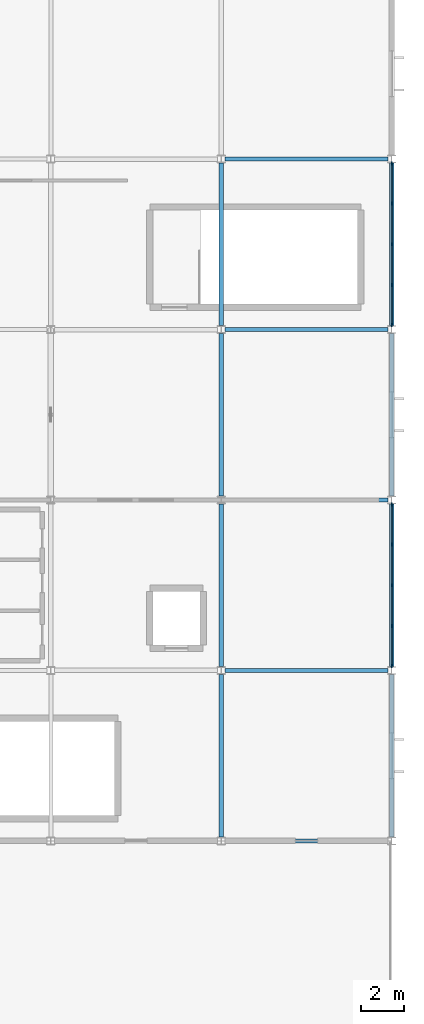
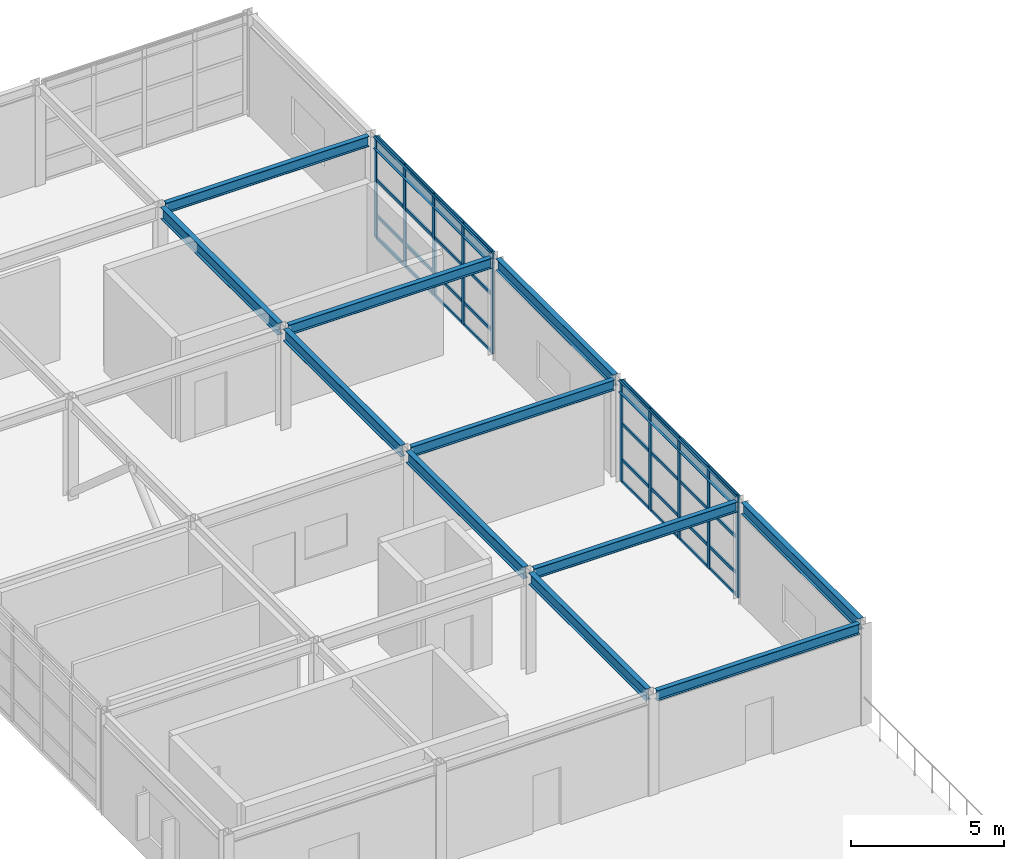
# One storey, part 19 of 34: 42 members, 13 beams, 2 elements without a shape of their own.
"""IFC4 building model written with IfcOpenShell, lengths in metres."""

from ifc_helpers import new_model, si_unit, direction, frame, origin, origin_2d, place, context, subcontext, project, spatial, rectangle, i_section, extrude, material, layer, layer_set, material_profile, profile_set, type_object, element, aggregate, save


model = new_model("IFC4")

# Units and contexts
model_context = context("Model", 3, precision=1e-05, world=origin(), true_north=direction((0.0, 1.0)))
body_context = subcontext(model_context, "Body", "Model", "MODEL_VIEW")
ifc_project = project(units=[si_unit("LENGTHUNIT", "METRE"), si_unit("AREAUNIT", "SQUARE_METRE"), si_unit("VOLUMEUNIT", "CUBIC_METRE"), si_unit("PLANEANGLEUNIT", "RADIAN"), si_unit("MASSUNIT", "GRAM", prefix="KILO")], contexts=[model_context])

# Site, building, storey
site_placement = place(None, origin())
site = spatial("IfcSite", under=ifc_project, at=site_placement, CompositionType="ELEMENT")
building_placement = place(site_placement, origin())
building = spatial("IfcBuilding", under=site, at=building_placement, Name="Varnela Railside Interchange", CompositionType="ELEMENT")
storey_placement = place(building_placement, frame((0.0, 0.0, 19.60009765625)))
storey = spatial("IfcBuildingStorey", under=building, at=storey_placement, Name="L04", CompositionType="ELEMENT", Elevation=19.60009765625)

# Beams
ifc_material_1 = material(Name="Steel AR 350 (350 MPa)", Category="steel")
ifc_material_profile_1 = material_profile(ifc_material_1, i_section(OverallWidth=0.194091796875, OverallDepth=0.468994140625, WebThickness=0.0126953125, FlangeThickness=0.0205078125, at=origin_2d()), Name="W460x106")
ifc_profile_set_1 = profile_set([ifc_material_profile_1], Name="Steel AR 350 (350 MPa)")
beam_type_1 = type_object("IfcBeamType", Name="Composite Primary Beam B-19", PredefinedType="BEAM", material=ifc_profile_set_1)
for number, where, z_axis, x_axis, name in (
    (1, (132.0, 62.179931640625, 3.785400390625), (0.0, 1.0, 0.0), (-1.0, 0.0, 0.0), "Composite Primary Beam B-19 (L04) (BM-2488)"),
    (2, (132.0, 70.179931640625, 3.785400390625), (0.0, 1.0, 0.0), (-1.0, 0.0, 0.0), "Composite Primary Beam B-19 (L04) (BM-2489)"),
    (3, (132.0, 78.179931640625, 3.785400390625), (0.0, 1.0, 0.0), (-1.0, 0.0, 0.0), "Composite Primary Beam B-19 (L04) (BM-2490)"),
):
    element("IfcBeam", number, at=place(storey_placement, frame(where, z_axis=z_axis, x_axis=x_axis)), inside=storey, type_object=beam_type_1, Name=name, PredefinedType="BEAM", context=body_context, shape_type="SweptSolid", body=[
        extrude(i_section(OverallWidth=0.194091796875, OverallDepth=0.468994140625, WebThickness=0.0126953125, FlangeThickness=0.0205078125, at=origin_2d()), origin(), (0.0, 0.0, 1.0), 7.64013671875),
    ])

# Curtain wall, members
ifc_material_2 = material(Name="Aluminium 6063-T6", Category="aluminium")
ifc_layer = layer(ifc_material_2, 0.035888671875)
ifc_layer_set = layer_set([ifc_layer], Name="Aluminium 6063-T6")
curtain_wall_type = type_object("IfcCurtainWallType", Name="Study Pavilion Gallery Curtain Wall CW-02", PredefinedType="USERDEFINED", material=ifc_layer_set)
curtain_wall_1_placement = place(storey_placement, origin())
curtain_wall_1 = element("IfcCurtainWall", 4, at=curtain_wall_1_placement, inside=storey, type_object=curtain_wall_type, Name="Curtain Wall CW-02 (L04) (CW-113)", ObjectType="CURTAIN WALL", PredefinedType="USERDEFINED")
ifc_material_profile_2 = material_profile(ifc_material_2, rectangle(XDim=0.06005859375, YDim=0.159912109375, at=origin_2d()), Name="ALU 60x160")
ifc_profile_set_2 = profile_set([ifc_material_profile_2], Name="Aluminium 6063-T6")
member_type_1 = type_object("IfcMemberType", Name="Curtain Wall Mullion ML-02", PredefinedType="MULLION", material=ifc_profile_set_2)
member_1_placement = place(storey_placement, frame((140.0, 85.7900390625, 0.0), z_axis=(0.0, 0.0, 1.0), x_axis=(1.0, 0.0, 0.0)))
member_1 = element("IfcMember", 5, at=member_1_placement, type_object=member_type_1, Name="CW-02 mullion 1", PredefinedType="MULLION", context=body_context, shape_type="SweptSolid", body=[
    extrude(rectangle(XDim=0.06005859375, YDim=0.159912109375, at=origin_2d()), origin(), (0.0, 0.0, 1.0), 4.02001953125),
])
member_2_placement = place(storey_placement, frame((140.0, 83.909912109375, 0.0), z_axis=(0.0, 0.0, 1.0), x_axis=(1.0, 0.0, 0.0)))
member_2 = element("IfcMember", 6, at=member_2_placement, type_object=member_type_1, Name="CW-02 mullion 2", PredefinedType="MULLION", context=body_context, shape_type="SweptSolid", body=[
    extrude(rectangle(XDim=0.06005859375, YDim=0.159912109375, at=origin_2d()), origin(), (0.0, 0.0, 1.0), 4.02001953125),
])
member_3_placement = place(storey_placement, frame((140.0, 82.0, 0.0), z_axis=(0.0, 0.0, 1.0), x_axis=(1.0, 0.0, 0.0)))
member_3 = element("IfcMember", 7, at=member_3_placement, type_object=member_type_1, Name="CW-02 mullion 3", PredefinedType="MULLION", context=body_context, shape_type="SweptSolid", body=[
    extrude(rectangle(XDim=0.06005859375, YDim=0.159912109375, at=origin_2d()), origin(), (0.0, 0.0, 1.0), 4.02001953125),
])
member_4_placement = place(storey_placement, frame((140.0, 80.090087890625, 0.0), z_axis=(0.0, 0.0, 1.0), x_axis=(1.0, 0.0, 0.0)))
member_4 = element("IfcMember", 8, at=member_4_placement, type_object=member_type_1, Name="CW-02 mullion 4", PredefinedType="MULLION", context=body_context, shape_type="SweptSolid", body=[
    extrude(rectangle(XDim=0.06005859375, YDim=0.159912109375, at=origin_2d()), origin(), (0.0, 0.0, 1.0), 4.02001953125),
])
member_5_placement = place(storey_placement, frame((140.0, 78.2099609375, 0.0), z_axis=(0.0, 0.0, 1.0), x_axis=(1.0, 0.0, 0.0)))
member_5 = element("IfcMember", 9, at=member_5_placement, type_object=member_type_1, Name="CW-02 mullion 5", PredefinedType="MULLION", context=body_context, shape_type="SweptSolid", body=[
    extrude(rectangle(XDim=0.06005859375, YDim=0.159912109375, at=origin_2d()), origin(), (0.0, 0.0, 1.0), 4.02001953125),
])

curtain_wall_2_placement = place(storey_placement, origin())
curtain_wall_2 = element("IfcCurtainWall", 10, at=curtain_wall_2_placement, inside=storey, type_object=curtain_wall_type, Name="Curtain Wall CW-02 (L04) (CW-114)", ObjectType="CURTAIN WALL", PredefinedType="USERDEFINED")
member_6_placement = place(storey_placement, frame((140.0, 69.7900390625, 0.0), z_axis=(0.0, 0.0, 1.0), x_axis=(1.0, 0.0, 0.0)))
member_6 = element("IfcMember", 11, at=member_6_placement, type_object=member_type_1, Name="CW-02 mullion 1", PredefinedType="MULLION", context=body_context, shape_type="SweptSolid", body=[
    extrude(rectangle(XDim=0.06005859375, YDim=0.159912109375, at=origin_2d()), origin(), (0.0, 0.0, 1.0), 4.02001953125),
])
member_7_placement = place(storey_placement, frame((140.0, 67.909912109375, 0.0), z_axis=(0.0, 0.0, 1.0), x_axis=(1.0, 0.0, 0.0)))
member_7 = element("IfcMember", 12, at=member_7_placement, type_object=member_type_1, Name="CW-02 mullion 2", PredefinedType="MULLION", context=body_context, shape_type="SweptSolid", body=[
    extrude(rectangle(XDim=0.06005859375, YDim=0.159912109375, at=origin_2d()), origin(), (0.0, 0.0, 1.0), 4.02001953125),
])
member_8_placement = place(storey_placement, frame((140.0, 66.0, 0.0), z_axis=(0.0, 0.0, 1.0), x_axis=(1.0, 0.0, 0.0)))
member_8 = element("IfcMember", 13, at=member_8_placement, type_object=member_type_1, Name="CW-02 mullion 3", PredefinedType="MULLION", context=body_context, shape_type="SweptSolid", body=[
    extrude(rectangle(XDim=0.06005859375, YDim=0.159912109375, at=origin_2d()), origin(), (0.0, 0.0, 1.0), 4.02001953125),
])
member_9_placement = place(storey_placement, frame((140.0, 64.090087890625, 0.0), z_axis=(0.0, 0.0, 1.0), x_axis=(1.0, 0.0, 0.0)))
member_9 = element("IfcMember", 14, at=member_9_placement, type_object=member_type_1, Name="CW-02 mullion 4", PredefinedType="MULLION", context=body_context, shape_type="SweptSolid", body=[
    extrude(rectangle(XDim=0.06005859375, YDim=0.159912109375, at=origin_2d()), origin(), (0.0, 0.0, 1.0), 4.02001953125),
])
member_10_placement = place(storey_placement, frame((140.0, 62.2099609375, 0.0), z_axis=(0.0, 0.0, 1.0), x_axis=(1.0, 0.0, 0.0)))
member_10 = element("IfcMember", 15, at=member_10_placement, type_object=member_type_1, Name="CW-02 mullion 5", PredefinedType="MULLION", context=body_context, shape_type="SweptSolid", body=[
    extrude(rectangle(XDim=0.06005859375, YDim=0.159912109375, at=origin_2d()), origin(), (0.0, 0.0, 1.0), 4.02001953125),
])

# Member
ifc_material_profile_3 = material_profile(ifc_material_2, rectangle(XDim=0.06005859375, YDim=0.1201171875, at=origin_2d()), Name="ALU 60x120")
ifc_profile_set_3 = profile_set([ifc_material_profile_3], Name="Aluminium 6063-T6")
member_type_2 = type_object("IfcMemberType", Name="Curtain Wall Transom TR-02", PredefinedType="USERDEFINED", material=ifc_profile_set_3)
member_11_placement = place(storey_placement, frame((140.0, 85.760009765625, 0.02978515625), z_axis=(0.0, -1.0, 0.0), x_axis=(1.0, 0.0, 0.0)))
member_11 = element("IfcMember", 16, at=member_11_placement, type_object=member_type_2, Name="CW-02 transom 1.1", ObjectType="TRANSOM", PredefinedType="USERDEFINED", context=body_context, shape_type="SweptSolid", body=[
    extrude(rectangle(XDim=0.06005859375, YDim=0.1201171875, at=origin_2d()), origin(), (0.0, 0.0, 1.0), 1.820068359375),
])

member_12_placement = place(storey_placement, frame((140.0, 85.760009765625, 0.89990234375), z_axis=(0.0, -1.0, 0.0), x_axis=(1.0, 0.0, 0.0)))
member_12 = element("IfcMember", 17, at=member_12_placement, type_object=member_type_2, Name="CW-02 transom 1.2", ObjectType="TRANSOM", PredefinedType="USERDEFINED", context=body_context, shape_type="SweptSolid", body=[
    extrude(rectangle(XDim=0.06005859375, YDim=0.1201171875, at=origin_2d()), origin(), (0.0, 0.0, 1.0), 1.820068359375),
])

member_13_placement = place(storey_placement, frame((140.0, 85.760009765625, 2.33154296875), z_axis=(0.0, -1.0, 0.0), x_axis=(1.0, 0.0, 0.0)))
member_13 = element("IfcMember", 18, at=member_13_placement, type_object=member_type_2, Name="CW-02 transom 1.3", ObjectType="TRANSOM", PredefinedType="USERDEFINED", context=body_context, shape_type="SweptSolid", body=[
    extrude(rectangle(XDim=0.06005859375, YDim=0.1201171875, at=origin_2d()), origin(), (0.0, 0.0, 1.0), 1.820068359375),
])

member_14_placement = place(storey_placement, frame((140.0, 85.760009765625, 3.989990234375), z_axis=(0.0, -1.0, 0.0), x_axis=(1.0, 0.0, 0.0)))
member_14 = element("IfcMember", 19, at=member_14_placement, type_object=member_type_2, Name="CW-02 transom 1.4", ObjectType="TRANSOM", PredefinedType="USERDEFINED", context=body_context, shape_type="SweptSolid", body=[
    extrude(rectangle(XDim=0.06005859375, YDim=0.1201171875, at=origin_2d()), origin(), (0.0, 0.0, 1.0), 1.820068359375),
])

member_15_placement = place(storey_placement, frame((140.0, 83.8798828125, 0.02978515625), z_axis=(0.0, -1.0, 0.0), x_axis=(1.0, 0.0, 0.0)))
member_15 = element("IfcMember", 20, at=member_15_placement, type_object=member_type_2, Name="CW-02 transom 2.1", ObjectType="TRANSOM", PredefinedType="USERDEFINED", context=body_context, shape_type="SweptSolid", body=[
    extrude(rectangle(XDim=0.06005859375, YDim=0.1201171875, at=origin_2d()), origin(), (0.0, 0.0, 1.0), 1.849853515625),
])

member_16_placement = place(storey_placement, frame((140.0, 83.8798828125, 0.89990234375), z_axis=(0.0, -1.0, 0.0), x_axis=(1.0, 0.0, 0.0)))
member_16 = element("IfcMember", 21, at=member_16_placement, type_object=member_type_2, Name="CW-02 transom 2.2", ObjectType="TRANSOM", PredefinedType="USERDEFINED", context=body_context, shape_type="SweptSolid", body=[
    extrude(rectangle(XDim=0.06005859375, YDim=0.1201171875, at=origin_2d()), origin(), (0.0, 0.0, 1.0), 1.849853515625),
])

member_17_placement = place(storey_placement, frame((140.0, 83.8798828125, 2.33154296875), z_axis=(0.0, -1.0, 0.0), x_axis=(1.0, 0.0, 0.0)))
member_17 = element("IfcMember", 22, at=member_17_placement, type_object=member_type_2, Name="CW-02 transom 2.3", ObjectType="TRANSOM", PredefinedType="USERDEFINED", context=body_context, shape_type="SweptSolid", body=[
    extrude(rectangle(XDim=0.06005859375, YDim=0.1201171875, at=origin_2d()), origin(), (0.0, 0.0, 1.0), 1.849853515625),
])

member_18_placement = place(storey_placement, frame((140.0, 83.8798828125, 3.989990234375), z_axis=(0.0, -1.0, 0.0), x_axis=(1.0, 0.0, 0.0)))
member_18 = element("IfcMember", 23, at=member_18_placement, type_object=member_type_2, Name="CW-02 transom 2.4", ObjectType="TRANSOM", PredefinedType="USERDEFINED", context=body_context, shape_type="SweptSolid", body=[
    extrude(rectangle(XDim=0.06005859375, YDim=0.1201171875, at=origin_2d()), origin(), (0.0, 0.0, 1.0), 1.849853515625),
])

member_19_placement = place(storey_placement, frame((140.0, 81.969970703125, 0.02978515625), z_axis=(0.0, -1.0, 0.0), x_axis=(1.0, 0.0, 0.0)))
member_19 = element("IfcMember", 24, at=member_19_placement, type_object=member_type_2, Name="CW-02 transom 3.1", ObjectType="TRANSOM", PredefinedType="USERDEFINED", context=body_context, shape_type="SweptSolid", body=[
    extrude(rectangle(XDim=0.06005859375, YDim=0.1201171875, at=origin_2d()), origin(), (0.0, 0.0, 1.0), 1.849853515625),
])

member_20_placement = place(storey_placement, frame((140.0, 81.969970703125, 0.89990234375), z_axis=(0.0, -1.0, 0.0), x_axis=(1.0, 0.0, 0.0)))
member_20 = element("IfcMember", 25, at=member_20_placement, type_object=member_type_2, Name="CW-02 transom 3.2", ObjectType="TRANSOM", PredefinedType="USERDEFINED", context=body_context, shape_type="SweptSolid", body=[
    extrude(rectangle(XDim=0.06005859375, YDim=0.1201171875, at=origin_2d()), origin(), (0.0, 0.0, 1.0), 1.849853515625),
])

member_21_placement = place(storey_placement, frame((140.0, 81.969970703125, 2.33154296875), z_axis=(0.0, -1.0, 0.0), x_axis=(1.0, 0.0, 0.0)))
member_21 = element("IfcMember", 26, at=member_21_placement, type_object=member_type_2, Name="CW-02 transom 3.3", ObjectType="TRANSOM", PredefinedType="USERDEFINED", context=body_context, shape_type="SweptSolid", body=[
    extrude(rectangle(XDim=0.06005859375, YDim=0.1201171875, at=origin_2d()), origin(), (0.0, 0.0, 1.0), 1.849853515625),
])

member_22_placement = place(storey_placement, frame((140.0, 81.969970703125, 3.989990234375), z_axis=(0.0, -1.0, 0.0), x_axis=(1.0, 0.0, 0.0)))
member_22 = element("IfcMember", 27, at=member_22_placement, type_object=member_type_2, Name="CW-02 transom 3.4", ObjectType="TRANSOM", PredefinedType="USERDEFINED", context=body_context, shape_type="SweptSolid", body=[
    extrude(rectangle(XDim=0.06005859375, YDim=0.1201171875, at=origin_2d()), origin(), (0.0, 0.0, 1.0), 1.849853515625),
])

member_23_placement = place(storey_placement, frame((140.0, 80.06005859375, 0.02978515625), z_axis=(0.0, -1.0, 0.0), x_axis=(1.0, 0.0, 0.0)))
member_23 = element("IfcMember", 28, at=member_23_placement, type_object=member_type_2, Name="CW-02 transom 4.1", ObjectType="TRANSOM", PredefinedType="USERDEFINED", context=body_context, shape_type="SweptSolid", body=[
    extrude(rectangle(XDim=0.06005859375, YDim=0.1201171875, at=origin_2d()), origin(), (0.0, 0.0, 1.0), 1.820068359375),
])

member_24_placement = place(storey_placement, frame((140.0, 80.06005859375, 0.89990234375), z_axis=(0.0, -1.0, 0.0), x_axis=(1.0, 0.0, 0.0)))
member_24 = element("IfcMember", 29, at=member_24_placement, type_object=member_type_2, Name="CW-02 transom 4.2", ObjectType="TRANSOM", PredefinedType="USERDEFINED", context=body_context, shape_type="SweptSolid", body=[
    extrude(rectangle(XDim=0.06005859375, YDim=0.1201171875, at=origin_2d()), origin(), (0.0, 0.0, 1.0), 1.820068359375),
])

member_25_placement = place(storey_placement, frame((140.0, 80.06005859375, 2.33154296875), z_axis=(0.0, -1.0, 0.0), x_axis=(1.0, 0.0, 0.0)))
member_25 = element("IfcMember", 30, at=member_25_placement, type_object=member_type_2, Name="CW-02 transom 4.3", ObjectType="TRANSOM", PredefinedType="USERDEFINED", context=body_context, shape_type="SweptSolid", body=[
    extrude(rectangle(XDim=0.06005859375, YDim=0.1201171875, at=origin_2d()), origin(), (0.0, 0.0, 1.0), 1.820068359375),
])

member_26_placement = place(storey_placement, frame((140.0, 80.06005859375, 3.989990234375), z_axis=(0.0, -1.0, 0.0), x_axis=(1.0, 0.0, 0.0)))
member_26 = element("IfcMember", 31, at=member_26_placement, type_object=member_type_2, Name="CW-02 transom 4.4", ObjectType="TRANSOM", PredefinedType="USERDEFINED", context=body_context, shape_type="SweptSolid", body=[
    extrude(rectangle(XDim=0.06005859375, YDim=0.1201171875, at=origin_2d()), origin(), (0.0, 0.0, 1.0), 1.820068359375),
])

aggregate(curtain_wall_1, [member_1, member_2, member_3, member_4, member_5, member_11, member_12, member_13, member_14, member_15, member_16, member_17, member_18, member_19, member_20, member_21, member_22, member_23, member_24, member_25, member_26])

member_27_placement = place(storey_placement, frame((140.0, 69.760009765625, 0.02978515625), z_axis=(0.0, -1.0, 0.0), x_axis=(1.0, 0.0, 0.0)))
member_27 = element("IfcMember", 32, at=member_27_placement, type_object=member_type_2, Name="CW-02 transom 1.1", ObjectType="TRANSOM", PredefinedType="USERDEFINED", context=body_context, shape_type="SweptSolid", body=[
    extrude(rectangle(XDim=0.06005859375, YDim=0.1201171875, at=origin_2d()), origin(), (0.0, 0.0, 1.0), 1.820068359375),
])

member_28_placement = place(storey_placement, frame((140.0, 69.760009765625, 0.89990234375), z_axis=(0.0, -1.0, 0.0), x_axis=(1.0, 0.0, 0.0)))
member_28 = element("IfcMember", 33, at=member_28_placement, type_object=member_type_2, Name="CW-02 transom 1.2", ObjectType="TRANSOM", PredefinedType="USERDEFINED", context=body_context, shape_type="SweptSolid", body=[
    extrude(rectangle(XDim=0.06005859375, YDim=0.1201171875, at=origin_2d()), origin(), (0.0, 0.0, 1.0), 1.820068359375),
])

member_29_placement = place(storey_placement, frame((140.0, 69.760009765625, 2.33154296875), z_axis=(0.0, -1.0, 0.0), x_axis=(1.0, 0.0, 0.0)))
member_29 = element("IfcMember", 34, at=member_29_placement, type_object=member_type_2, Name="CW-02 transom 1.3", ObjectType="TRANSOM", PredefinedType="USERDEFINED", context=body_context, shape_type="SweptSolid", body=[
    extrude(rectangle(XDim=0.06005859375, YDim=0.1201171875, at=origin_2d()), origin(), (0.0, 0.0, 1.0), 1.820068359375),
])

member_30_placement = place(storey_placement, frame((140.0, 69.760009765625, 3.989990234375), z_axis=(0.0, -1.0, 0.0), x_axis=(1.0, 0.0, 0.0)))
member_30 = element("IfcMember", 35, at=member_30_placement, type_object=member_type_2, Name="CW-02 transom 1.4", ObjectType="TRANSOM", PredefinedType="USERDEFINED", context=body_context, shape_type="SweptSolid", body=[
    extrude(rectangle(XDim=0.06005859375, YDim=0.1201171875, at=origin_2d()), origin(), (0.0, 0.0, 1.0), 1.820068359375),
])

member_31_placement = place(storey_placement, frame((140.0, 67.8798828125, 0.02978515625), z_axis=(0.0, -1.0, 0.0), x_axis=(1.0, 0.0, 0.0)))
member_31 = element("IfcMember", 36, at=member_31_placement, type_object=member_type_2, Name="CW-02 transom 2.1", ObjectType="TRANSOM", PredefinedType="USERDEFINED", context=body_context, shape_type="SweptSolid", body=[
    extrude(rectangle(XDim=0.06005859375, YDim=0.1201171875, at=origin_2d()), origin(), (0.0, 0.0, 1.0), 1.849853515625),
])

member_32_placement = place(storey_placement, frame((140.0, 67.8798828125, 0.89990234375), z_axis=(0.0, -1.0, 0.0), x_axis=(1.0, 0.0, 0.0)))
member_32 = element("IfcMember", 37, at=member_32_placement, type_object=member_type_2, Name="CW-02 transom 2.2", ObjectType="TRANSOM", PredefinedType="USERDEFINED", context=body_context, shape_type="SweptSolid", body=[
    extrude(rectangle(XDim=0.06005859375, YDim=0.1201171875, at=origin_2d()), origin(), (0.0, 0.0, 1.0), 1.849853515625),
])

member_33_placement = place(storey_placement, frame((140.0, 67.8798828125, 2.33154296875), z_axis=(0.0, -1.0, 0.0), x_axis=(1.0, 0.0, 0.0)))
member_33 = element("IfcMember", 38, at=member_33_placement, type_object=member_type_2, Name="CW-02 transom 2.3", ObjectType="TRANSOM", PredefinedType="USERDEFINED", context=body_context, shape_type="SweptSolid", body=[
    extrude(rectangle(XDim=0.06005859375, YDim=0.1201171875, at=origin_2d()), origin(), (0.0, 0.0, 1.0), 1.849853515625),
])

member_34_placement = place(storey_placement, frame((140.0, 67.8798828125, 3.989990234375), z_axis=(0.0, -1.0, 0.0), x_axis=(1.0, 0.0, 0.0)))
member_34 = element("IfcMember", 39, at=member_34_placement, type_object=member_type_2, Name="CW-02 transom 2.4", ObjectType="TRANSOM", PredefinedType="USERDEFINED", context=body_context, shape_type="SweptSolid", body=[
    extrude(rectangle(XDim=0.06005859375, YDim=0.1201171875, at=origin_2d()), origin(), (0.0, 0.0, 1.0), 1.849853515625),
])

member_35_placement = place(storey_placement, frame((140.0, 65.969970703125, 0.02978515625), z_axis=(0.0, -1.0, 0.0), x_axis=(1.0, 0.0, 0.0)))
member_35 = element("IfcMember", 40, at=member_35_placement, type_object=member_type_2, Name="CW-02 transom 3.1", ObjectType="TRANSOM", PredefinedType="USERDEFINED", context=body_context, shape_type="SweptSolid", body=[
    extrude(rectangle(XDim=0.06005859375, YDim=0.1201171875, at=origin_2d()), origin(), (0.0, 0.0, 1.0), 1.849853515625),
])

member_36_placement = place(storey_placement, frame((140.0, 65.969970703125, 0.89990234375), z_axis=(0.0, -1.0, 0.0), x_axis=(1.0, 0.0, 0.0)))
member_36 = element("IfcMember", 41, at=member_36_placement, type_object=member_type_2, Name="CW-02 transom 3.2", ObjectType="TRANSOM", PredefinedType="USERDEFINED", context=body_context, shape_type="SweptSolid", body=[
    extrude(rectangle(XDim=0.06005859375, YDim=0.1201171875, at=origin_2d()), origin(), (0.0, 0.0, 1.0), 1.849853515625),
])

member_37_placement = place(storey_placement, frame((140.0, 65.969970703125, 2.33154296875), z_axis=(0.0, -1.0, 0.0), x_axis=(1.0, 0.0, 0.0)))
member_37 = element("IfcMember", 42, at=member_37_placement, type_object=member_type_2, Name="CW-02 transom 3.3", ObjectType="TRANSOM", PredefinedType="USERDEFINED", context=body_context, shape_type="SweptSolid", body=[
    extrude(rectangle(XDim=0.06005859375, YDim=0.1201171875, at=origin_2d()), origin(), (0.0, 0.0, 1.0), 1.849853515625),
])

member_38_placement = place(storey_placement, frame((140.0, 65.969970703125, 3.989990234375), z_axis=(0.0, -1.0, 0.0), x_axis=(1.0, 0.0, 0.0)))
member_38 = element("IfcMember", 43, at=member_38_placement, type_object=member_type_2, Name="CW-02 transom 3.4", ObjectType="TRANSOM", PredefinedType="USERDEFINED", context=body_context, shape_type="SweptSolid", body=[
    extrude(rectangle(XDim=0.06005859375, YDim=0.1201171875, at=origin_2d()), origin(), (0.0, 0.0, 1.0), 1.849853515625),
])

member_39_placement = place(storey_placement, frame((140.0, 64.06005859375, 0.02978515625), z_axis=(0.0, -1.0, 0.0), x_axis=(1.0, 0.0, 0.0)))
member_39 = element("IfcMember", 44, at=member_39_placement, type_object=member_type_2, Name="CW-02 transom 4.1", ObjectType="TRANSOM", PredefinedType="USERDEFINED", context=body_context, shape_type="SweptSolid", body=[
    extrude(rectangle(XDim=0.06005859375, YDim=0.1201171875, at=origin_2d()), origin(), (0.0, 0.0, 1.0), 1.820068359375),
])

member_40_placement = place(storey_placement, frame((140.0, 64.06005859375, 0.89990234375), z_axis=(0.0, -1.0, 0.0), x_axis=(1.0, 0.0, 0.0)))
member_40 = element("IfcMember", 45, at=member_40_placement, type_object=member_type_2, Name="CW-02 transom 4.2", ObjectType="TRANSOM", PredefinedType="USERDEFINED", context=body_context, shape_type="SweptSolid", body=[
    extrude(rectangle(XDim=0.06005859375, YDim=0.1201171875, at=origin_2d()), origin(), (0.0, 0.0, 1.0), 1.820068359375),
])

member_41_placement = place(storey_placement, frame((140.0, 64.06005859375, 2.33154296875), z_axis=(0.0, -1.0, 0.0), x_axis=(1.0, 0.0, 0.0)))
member_41 = element("IfcMember", 46, at=member_41_placement, type_object=member_type_2, Name="CW-02 transom 4.3", ObjectType="TRANSOM", PredefinedType="USERDEFINED", context=body_context, shape_type="SweptSolid", body=[
    extrude(rectangle(XDim=0.06005859375, YDim=0.1201171875, at=origin_2d()), origin(), (0.0, 0.0, 1.0), 1.820068359375),
])

member_42_placement = place(storey_placement, frame((140.0, 64.06005859375, 3.989990234375), z_axis=(0.0, -1.0, 0.0), x_axis=(1.0, 0.0, 0.0)))
member_42 = element("IfcMember", 47, at=member_42_placement, type_object=member_type_2, Name="CW-02 transom 4.4", ObjectType="TRANSOM", PredefinedType="USERDEFINED", context=body_context, shape_type="SweptSolid", body=[
    extrude(rectangle(XDim=0.06005859375, YDim=0.1201171875, at=origin_2d()), origin(), (0.0, 0.0, 1.0), 1.820068359375),
])

aggregate(curtain_wall_2, [member_6, member_7, member_8, member_9, member_10, member_27, member_28, member_29, member_30, member_31, member_32, member_33, member_34, member_35, member_36, member_37, member_38, member_39, member_40, member_41, member_42])

# Beams
ifc_material_profile_4 = material_profile(ifc_material_1, i_section(OverallWidth=0.19091796875, OverallDepth=0.4599609375, WebThickness=0.010009765625, FlangeThickness=0.01611328125, at=origin_2d()), Name="W460x82")
ifc_profile_set_4 = profile_set([ifc_material_profile_4], Name="Steel AR 350 (350 MPa)")
beam_type_2 = type_object("IfcBeamType", Name="Steel Perimeter Spandrel SP-01", PredefinedType="SPANDREL", material=ifc_profile_set_4)
for number, where, z_axis, x_axis, name in (
    (48, (132.0, 54.179931640625, 3.789794921875), (0.0, 1.0, 0.0), (-1.0, 0.0, 0.0), "Steel Perimeter Spandrel SP-01 (L04) (BM-2487)"),
    (49, (140.0, 54.179931640625, 3.789794921875), (0.0, 1.0, 0.0), (-1.0, 0.0, 0.0), "Steel Perimeter Spandrel SP-01 (L04) (BM-2492)"),
    (50, (140.0, 62.179931640625, 3.789794921875), (0.0, 1.0, 0.0), (-1.0, 0.0, 0.0), "Steel Perimeter Spandrel SP-01 (L04) (BM-2493)"),
    (51, (140.0, 70.179931640625, 3.789794921875), (0.0, 1.0, 0.0), (-1.0, 0.0, 0.0), "Steel Perimeter Spandrel SP-01 (L04) (BM-2494)"),
    (52, (140.0, 78.179931640625, 3.789794921875), (0.0, 1.0, 0.0), (-1.0, 0.0, 0.0), "Steel Perimeter Spandrel SP-01 (L04) (BM-2495)"),
):
    element("IfcBeam", number, at=place(storey_placement, frame(where, z_axis=z_axis, x_axis=x_axis)), inside=storey, type_object=beam_type_2, Name=name, PredefinedType="SPANDREL", context=body_context, shape_type="SweptSolid", body=[
        extrude(i_section(OverallWidth=0.19091796875, OverallDepth=0.4599609375, WebThickness=0.010009765625, FlangeThickness=0.01611328125, at=origin_2d()), origin(), (0.0, 0.0, 1.0), 7.64013671875),
    ])
ifc_material_profile_5 = material_profile(ifc_material_1, i_section(OverallWidth=0.178955078125, OverallDepth=0.409912109375, WebThickness=0.0087890625, FlangeThickness=0.014404296875, at=origin_2d()), Name="W410x67")
ifc_profile_set_5 = profile_set([ifc_material_profile_5], Name="Steel AR 350 (350 MPa)")
beam_type_3 = type_object("IfcBeamType", Name="Steel Terrace Spandrel SP-02", PredefinedType="SPANDREL", material=ifc_profile_set_5)
for number, where, z_axis, x_axis, name in (
    (53, (132.18505859375, 54.0, 3.81494140625), (1.0, 0.0, 0.0), (0.0, 1.0, 0.0), "Steel Terrace Spandrel SP-02 (L04) (BM-2434)"),
    (54, (132.18505859375, 62.0, 3.81494140625), (1.0, 0.0, 0.0), (0.0, 1.0, 0.0), "Steel Terrace Spandrel SP-02 (L04) (BM-2440)"),
    (55, (132.18505859375, 70.0, 3.81494140625), (1.0, 0.0, 0.0), (0.0, 1.0, 0.0), "Steel Terrace Spandrel SP-02 (L04) (BM-2446)"),
    (56, (132.18505859375, 78.0, 3.81494140625), (1.0, 0.0, 0.0), (0.0, 1.0, 0.0), "Steel Terrace Spandrel SP-02 (L04) (BM-2453)"),
    (57, (132.18505859375, 86.0, 3.81494140625), (1.0, 0.0, 0.0), (0.0, 1.0, 0.0), "Steel Terrace Spandrel SP-02 (L04) (BM-2462)"),
):
    element("IfcBeam", number, at=place(storey_placement, frame(where, z_axis=z_axis, x_axis=x_axis)), inside=storey, type_object=beam_type_3, Name=name, PredefinedType="SPANDREL", context=body_context, shape_type="SweptSolid", body=[
        extrude(i_section(OverallWidth=0.178955078125, OverallDepth=0.409912109375, WebThickness=0.0087890625, FlangeThickness=0.014404296875, at=origin_2d()), origin(), (0.0, 0.0, 1.0), 7.6298828125),
    ])

save(model, "model.ifc")
